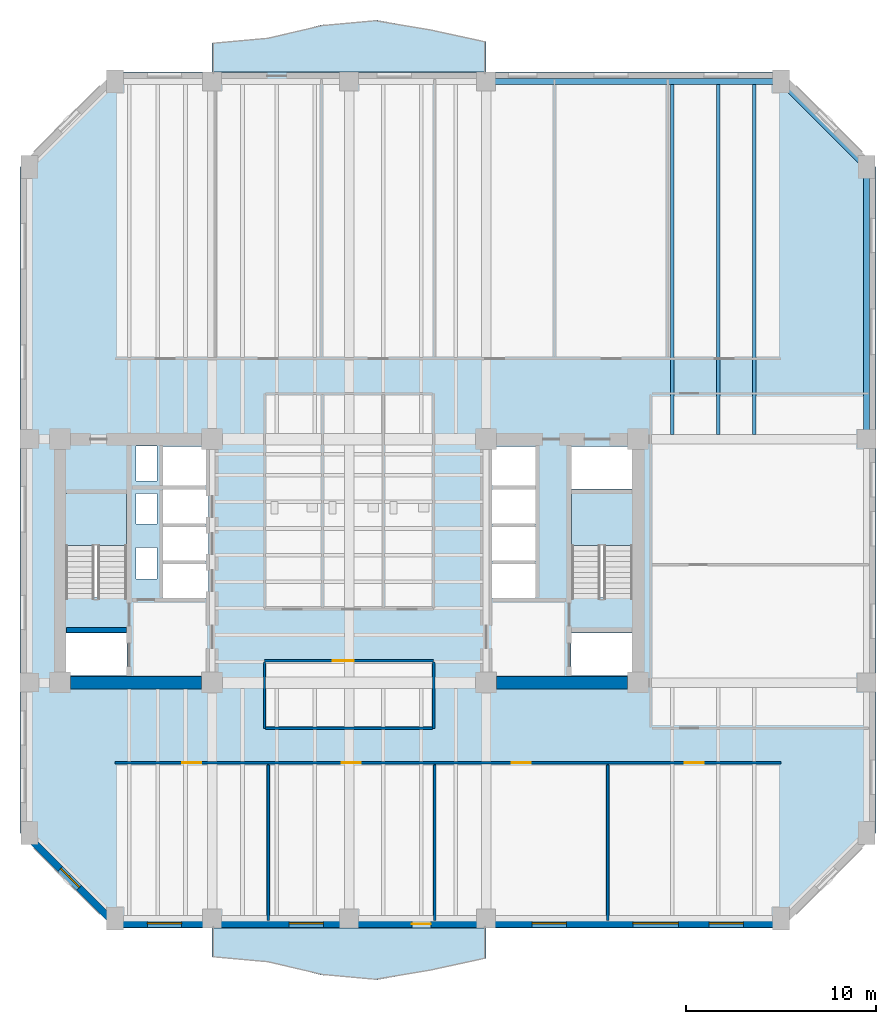
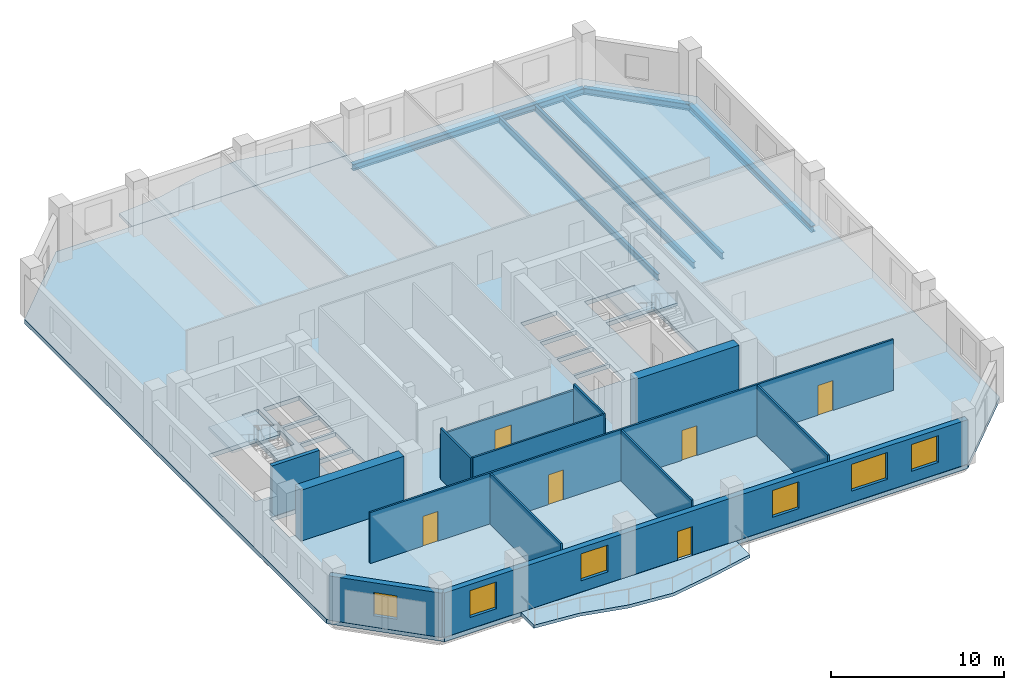
# One storey, part 2 of 9: 13 walls, 6 beams, 6 doors, 6 windows, 5 slabs, 12 openings, 2 elements without a shape of their own.
"""IFC4 building model written with IfcOpenShell, lengths in metres."""

import ifcopenshell
import ifcopenshell.guid

model = None  # the IFC model being written
_history = None  # IfcOwnerHistory: only IFC2X3 demands one
_inside = {}  # id of a spatial element -> (the spatial element, [elements in it])
_under = {}  # id of a project, library or spatial element -> (it, [spatial elements below it])
_declared = {}  # id of a project -> (the project, [libraries it declares])
_typed = {}  # id of a type object -> (the type object, [elements of that type])
_made_of = {}  # id of a material, layer set ... -> (it, [elements and type objects made of it])


def new_model(schema):
    """Start an empty IFC model of exactly this schema.

    Asked for "IFC4X3", IfcOpenShell would pick the latest addendum, in which some entities
    have other attributes; the version numbers below select the first issue.
    IFC2X3 requires an IfcOwnerHistory on every rooted entity: one is made here for all.
    """
    global model, _history
    if schema == "IFC4X3":
        model = ifcopenshell.file(schema_version=(4, 3, 0, 0))
    else:
        model = ifcopenshell.file(schema=schema)
    _inside.clear()
    _under.clear()
    _declared.clear()
    _typed.clear()
    _made_of.clear()
    _history = None
    if model.schema == "IFC2X3":
        org = make("IfcOrganization", Name="unknown")
        user = make(
            "IfcPersonAndOrganization",
            ThePerson=make("IfcPerson", FamilyName="unknown"),
            TheOrganization=org,
        )
        app = make(
            "IfcApplication",
            ApplicationDeveloper=org,
            Version="unknown",
            ApplicationFullName="unknown",
            ApplicationIdentifier="unknown",
        )
        _history = make(
            "IfcOwnerHistory",
            OwningUser=user,
            OwningApplication=app,
            ChangeAction="ADDED",
            CreationDate=0,
        )
    return model


def make(cls, **values):
    """One entity of the class cls with the attributes given. An attribute that is None is left unset."""
    return model.create_entity(
        cls, **{name: value for name, value in values.items() if value is not None}
    )


def rooted(cls, **values):
    """An entity with a GlobalId (a new one), such as an element, a storey or a relation."""
    return make(cls, GlobalId=ifcopenshell.guid.new(), OwnerHistory=_history, **values)


def si_unit(unit_type, name, prefix=None):
    """IfcSIUnit, for example si_unit("LENGTHUNIT", "METRE", prefix="MILLI")."""
    return make("IfcSIUnit", UnitType=unit_type, Prefix=prefix, Name=name)


def assignment(units):
    """IfcUnitAssignment: the units of a project."""
    return None if units is None else make("IfcUnitAssignment", Units=units)


def point(xyz):
    """IfcCartesianPoint."""
    return None if xyz is None else make("IfcCartesianPoint", Coordinates=xyz)


def direction(xyz):
    """IfcDirection."""
    return None if xyz is None else make("IfcDirection", DirectionRatios=xyz)


def frame(location, z_axis=None, x_axis=None):
    """IfcAxis2Placement3D, a coordinate frame: its origin and axes. An axis left out is left unset."""
    return make(
        "IfcAxis2Placement3D",
        Location=point(location),
        Axis=direction(z_axis),
        RefDirection=direction(x_axis),
    )


def frame_2d(location, x_axis=None):
    """IfcAxis2Placement2D, a coordinate frame in the plane: its origin and x axis."""
    return make(
        "IfcAxis2Placement2D", Location=point(location), RefDirection=direction(x_axis)
    )


def origin():
    """The frame at (0, 0, 0) with its axes left unset."""
    return frame((0.0, 0.0, 0.0))


def origin_2d():
    """The frame at (0, 0) in the plane with its x axis left unset."""
    return frame_2d((0.0, 0.0))


def place(relative_to, where):
    """IfcLocalPlacement: puts the frame where relative to a parent placement (None: the world)."""
    return make(
        "IfcLocalPlacement", PlacementRelTo=relative_to, RelativePlacement=where
    )


def context(
    kind, dimensions, precision=None, world=None, true_north=None, identifier=None
):
    """IfcGeometricRepresentationContext, for example the 3D "Model" context."""
    return make(
        "IfcGeometricRepresentationContext",
        ContextIdentifier=identifier,
        ContextType=kind,
        CoordinateSpaceDimension=dimensions,
        Precision=precision,
        WorldCoordinateSystem=world,
        TrueNorth=true_north,
    )


def subcontext(parent, identifier, kind, view, scale=None):
    """IfcGeometricRepresentationSubContext, for example "Body" below "Model"."""
    return make(
        "IfcGeometricRepresentationSubContext",
        ContextIdentifier=identifier,
        ContextType=kind,
        ParentContext=parent,
        TargetScale=scale,
        TargetView=view,
    )


def project(units=None, contexts=None):
    """IfcProject with its units and contexts."""
    return rooted(
        "IfcProject",
        Name="project",
        RepresentationContexts=contexts,
        UnitsInContext=assignment(units),
    )


def spatial(cls, under=None, at=None, **own):
    """A site, building, storey or space (cls), placed at a placement, below another one or the project."""
    s = rooted(cls, ObjectPlacement=at, **own)
    if under is not None:
        _under.setdefault(under.id(), (under, []))[1].append(s)
    return s


def polyline(points):
    """IfcPolyline through the points."""
    return make("IfcPolyline", Points=[point(p) for p in points])


def profile(cls, at=None, kind="AREA", **sizes):
    """A parametric profile (cls). Its sizes go by their IFC names, for example OverallWidth=200.0."""
    return make(cls, ProfileType=kind, Position=at, **sizes)


def rectangle(**sizes):
    """IfcRectangleProfileDef."""
    return profile("IfcRectangleProfileDef", **sizes)


def i_section(**sizes):
    """IfcIShapeProfileDef."""
    return profile("IfcIShapeProfileDef", **sizes)


def outline(outer, holes=None, kind="AREA"):
    """IfcArbitraryClosedProfileDef: a profile drawn as a closed curve; with holes, ...WithVoids."""
    if holes is None:
        return make("IfcArbitraryClosedProfileDef", ProfileType=kind, OuterCurve=outer)
    return make(
        "IfcArbitraryProfileDefWithVoids",
        ProfileType=kind,
        OuterCurve=outer,
        InnerCurves=holes,
    )


def extrude(swept, where, along, depth):
    """IfcExtrudedAreaSolid: the profile swept, set in the frame where, extruded along a direction by depth."""
    return make(
        "IfcExtrudedAreaSolid",
        SweptArea=swept,
        Position=where,
        ExtrudedDirection=direction(along),
        Depth=depth,
    )


def shape(context_of_items, identifier, shape_type, items):
    """IfcShapeRepresentation: the items that make up one representation, for example the "Body"."""
    return make(
        "IfcShapeRepresentation",
        ContextOfItems=context_of_items,
        RepresentationIdentifier=identifier,
        RepresentationType=shape_type,
        Items=items,
    )


def material(Name=None, Category=None):
    """IfcMaterial."""
    return make("IfcMaterial", Name=Name, Category=Category)


def layer(
    of_material, thickness, ventilated=None, Name=None, Category=None, Priority=None
):
    """IfcMaterialLayer: one layer of a wall or slab, of a material (None: an air gap)."""
    return make(
        "IfcMaterialLayer",
        Material=of_material,
        LayerThickness=thickness,
        IsVentilated=ventilated,
        Name=Name,
        Category=Category,
        Priority=Priority,
    )


def layer_set(layers, Name=None):
    """IfcMaterialLayerSet."""
    return make("IfcMaterialLayerSet", MaterialLayers=layers, LayerSetName=Name)


def material_profile(
    of_material, cross_section, Name=None, Category=None, Priority=None
):
    """IfcMaterialProfile: a cross section and its material."""
    return make(
        "IfcMaterialProfile",
        Name=Name,
        Material=of_material,
        Profile=cross_section,
        Priority=Priority,
        Category=Category,
    )


def profile_set(profiles, Name=None, composite=None):
    """IfcMaterialProfileSet."""
    return make(
        "IfcMaterialProfileSet",
        Name=Name,
        MaterialProfiles=profiles,
        CompositeProfile=composite,
    )


def made_of(thing, what):
    """Note that an element or type object is made of a material, layer set ...; save() writes the relation."""
    if what is not None:
        _made_of.setdefault(what.id(), (what, []))[1].append(thing)
    return thing


def type_object(cls, material=None, **own):
    """A type object (cls), such as IfcWallType, which elements share."""
    return made_of(rooted(cls, **own), material)


def element(
    cls,
    number,
    at=None,
    inside=None,
    cuts=None,
    type_object=None,
    material=None,
    context=None,
    identifier="Body",
    shape_type=None,
    held_by="IfcProductDefinitionShape",
    body=None,
    shapes=None,
    **own,
):
    """One element of the class cls, such as IfcWall. Its Tag is "e" and its number.

    at: its placement. inside: the storey or other place that contains it. cuts: it is an
    opening in that element (IfcRelVoidsElement). A single representation is given by context,
    identifier, shape_type and body (its items); several are given by shapes. held_by: the class
    of the entity that holds the representations. save() writes the other relations.
    """
    e = rooted(cls, Tag="e%d" % number, ObjectPlacement=at, **own)
    if body is not None:
        shapes = [shape(context, identifier, shape_type, body)]
    if shapes is not None:
        e.Representation = make(held_by, Representations=shapes)
    if inside is not None:
        _inside.setdefault(inside.id(), (inside, []))[1].append(e)
    if cuts is not None:
        rooted(
            "IfcRelVoidsElement", RelatingBuildingElement=cuts, RelatedOpeningElement=e
        )
    if type_object is not None:
        _typed.setdefault(type_object.id(), (type_object, []))[1].append(e)
    return made_of(e, material)


def fill(opening, filler):
    """IfcRelFillsElement: the door or window that sits in an opening."""
    return rooted(
        "IfcRelFillsElement",
        RelatingOpeningElement=opening,
        RelatedBuildingElement=filler,
    )


def aggregate(whole, parts):
    """IfcRelAggregates: a whole, such as a stair, and the parts it consists of."""
    return rooted("IfcRelAggregates", RelatingObject=whole, RelatedObjects=parts)


def save(model, path):
    """Write the relations noted so far, then the file.

    IfcRelAggregates (storeys below a building ...), IfcRelContainedInSpatialStructure (elements
    in a storey), IfcRelDefinesByType, IfcRelAssociatesMaterial and IfcRelDeclares: one each for
    every whole, place, type object, material and project.
    """
    for whole, parts in _under.values():
        aggregate(whole, parts)
    for where, things in _inside.values():
        rooted(
            "IfcRelContainedInSpatialStructure",
            RelatedElements=things,
            RelatingStructure=where,
        )
    for kind, things in _typed.values():
        rooted("IfcRelDefinesByType", RelatedObjects=things, RelatingType=kind)
    for what, things in _made_of.values():
        rooted("IfcRelAssociatesMaterial", RelatedObjects=things, RelatingMaterial=what)
    for by, libraries in _declared.values():
        rooted("IfcRelDeclares", RelatingContext=by, RelatedDefinitions=libraries)
    model.write(path)


model = new_model("IFC4")

# Units and contexts
model_context = context("Model", 3, precision=1e-05, world=origin(), true_north=direction((0.0, 1.0)))
body_context = subcontext(model_context, "Body", "Model", "MODEL_VIEW")
ifc_project = project(units=[si_unit("LENGTHUNIT", "METRE"), si_unit("AREAUNIT", "SQUARE_METRE"), si_unit("VOLUMEUNIT", "CUBIC_METRE"), si_unit("PLANEANGLEUNIT", "RADIAN"), si_unit("MASSUNIT", "GRAM", prefix="KILO")], contexts=[model_context])

# Site, building, storey
site_placement = place(None, origin())
site = spatial("IfcSite", under=ifc_project, at=site_placement, CompositionType="ELEMENT")
building_placement = place(site_placement, origin())
building = spatial("IfcBuilding", under=site, at=building_placement, Name="Kranthara Brick Stack", CompositionType="ELEMENT")
storey_placement = place(building_placement, frame((0.0, 0.0, 86.699951171875)))
storey = spatial("IfcBuildingStorey", under=building, at=storey_placement, Name="L21", CompositionType="ELEMENT", Elevation=86.699951171875)

# Beams
ifc_material_1 = material(Name="Steel S355", Category="steel")
ifc_material_profile_1 = material_profile(ifc_material_1, i_section(OverallWidth=0.18994140625, OverallDepth=0.449951171875, WebThickness=0.009521484375, FlangeThickness=0.0146484375, at=origin_2d()), Name="IPE 450")
ifc_profile_set_1 = profile_set([ifc_material_profile_1], Name="Steel S355")
beam_type_1 = type_object("IfcBeamType", Name="BM-JST-IPE450", PredefinedType="JOIST", material=ifc_profile_set_1)
for number, where, z_axis, x_axis, name in (
    (1, (45.0, 33.85009765625, -0.52490234375), (0.0, 1.0, 0.0), (-1.0, 0.0, 0.0), "L21 North Wing Floor Joist 071"),
    (2, (47.39990234375, 33.85009765625, -0.52490234375), (0.0, 1.0, 0.0), (-1.0, 0.0, 0.0), "L21 North Wing Floor Joist 073"),
    (3, (49.300048828125, 33.85009765625, -0.52490234375), (0.0, 1.0, 0.0), (-1.0, 0.0, 0.0), "L21 North Wing Floor Joist 075"),
):
    element("IfcBeam", number, at=place(storey_placement, frame(where, z_axis=z_axis, x_axis=x_axis)), inside=storey, type_object=beam_type_1, Name=name, PredefinedType="JOIST", context=body_context, shape_type="SweptSolid", body=[
        extrude(i_section(OverallWidth=0.18994140625, OverallDepth=0.449951171875, WebThickness=0.009521484375, FlangeThickness=0.0146484375, at=origin_2d()), origin(), (0.0, 0.0, 1.0), 18.39990234375),
    ])
ifc_material_2 = material(Name="Steel S355", Category="steel")
ifc_material_profile_2 = material_profile(ifc_material_2, i_section(OverallWidth=0.300048828125, OverallDepth=0.449951171875, WebThickness=0.013916015625, FlangeThickness=0.02587890625, at=origin_2d()), Name="HEB 450")
ifc_profile_set_2 = profile_set([ifc_material_profile_2], Name="Steel S355")
beam_type_2 = type_object("IfcBeamType", Name="BM-STL-HEB450", PredefinedType="SPANDREL", material=ifc_profile_set_2)
beam_1_placement = place(storey_placement, frame((35.199951171875, 52.39990234375, -0.52490234375), z_axis=(1.0, 0.0, 0.0), x_axis=(0.0, 1.0, 0.0)))
element("IfcBeam", 4, at=beam_1_placement, inside=storey, type_object=beam_type_2, Name="L21 Perimeter Spandrel Beam 012", PredefinedType="SPANDREL", context=body_context, shape_type="SweptSolid", body=[
    extrude(i_section(OverallWidth=0.300048828125, OverallDepth=0.449951171875, WebThickness=0.013916015625, FlangeThickness=0.02587890625, at=origin_2d()), origin(), (0.0, 0.0, 1.0), 15.5),
])
beam_2_placement = place(storey_placement, frame((55.199951171875, 33.60009765625, -0.52490234375), z_axis=(0.0, 1.0, 0.0), x_axis=(-1.0, 0.0, 0.0)))
element("IfcBeam", 5, at=beam_2_placement, inside=storey, type_object=beam_type_2, Name="L21 Perimeter Spandrel Beam 018", PredefinedType="SPANDREL", context=body_context, shape_type="SweptSolid", body=[
    extrude(i_section(OverallWidth=0.300048828125, OverallDepth=0.449951171875, WebThickness=0.013916015625, FlangeThickness=0.02587890625, at=origin_2d()), origin(), (0.0, 0.0, 1.0), 14.2998046875),
])
beam_3_placement = place(storey_placement, frame((50.699951171875, 52.39990234375, -0.52490234375), z_axis=(0.707106781187, -0.707106781187, 0.0), x_axis=(0.707106781187, 0.707106781187, 0.0)))
element("IfcBeam", 6, at=beam_3_placement, inside=storey, type_object=beam_type_2, Name="L21 Chamfer Corner Spandrel 022", PredefinedType="SPANDREL", context=body_context, shape_type="SweptSolid", body=[
    extrude(i_section(OverallWidth=0.300048828125, OverallDepth=0.449951171875, WebThickness=0.013916015625, FlangeThickness=0.02587890625, at=origin_2d()), origin(), (0.0, 0.0, 1.0), 6.364013671875),
])

# Slabs
ifc_material_3 = material(Name="Concrete C45/55", Category="concrete")
ifc_layer_1 = layer(ifc_material_3, 0.219970703125)
ifc_layer_set_1 = layer_set([ifc_layer_1], Name="Concrete C45/55")
slab_type_1 = type_object("IfcSlabType", Name="SLB-BALC-220", PredefinedType="FLOOR", material=ifc_layer_set_1)
slab_1_placement = place(storey_placement, frame((0.0, 0.0, -0.219970703125)))
element("IfcSlab", 7, at=slab_1_placement, inside=storey, type_object=slab_type_1, Name="L21 South Rippling Balcony Slab", PredefinedType="FLOOR", context=body_context, shape_type="SweptSolid", body=[
    extrude(outline(polyline([(20.800048828125, 7.89990234375), (35.199951171875, 7.89990234375), (35.199951171875, 6.31103515625), (32.320068359375, 5.675537109375), (29.43994140625, 5.1650390625), (26.56005859375, 5.421630859375), (23.679931640625, 6.12255859375), (20.800048828125, 6.38623046875), (20.800048828125, 7.89990234375)])), origin(), (0.0, 0.0, 1.0), 0.219970703125),
])
slab_2_placement = place(storey_placement, frame((0.0, 0.0, -0.219970703125)))
element("IfcSlab", 8, at=slab_2_placement, inside=storey, type_object=slab_type_1, Name="L21 North Rippling Balcony Slab", PredefinedType="FLOOR", context=body_context, shape_type="SweptSolid", body=[
    extrude(outline(polyline([(35.199951171875, 52.89990234375), (20.800048828125, 52.89990234375), (20.800048828125, 54.41357421875), (23.679931640625, 54.677490234375), (26.56005859375, 55.378173828125), (29.43994140625, 55.634765625), (32.320068359375, 55.12451171875), (35.199951171875, 54.489013671875), (35.199951171875, 52.89990234375)])), origin(), (0.0, 0.0, 1.0), 0.219970703125),
])

# Stair, slab
ifc_material_4 = material(Name="Concrete C45/55", Category="concrete")
stair_type = type_object("IfcStairType", Name="ST-CORE-22R", PredefinedType="HALF_TURN_STAIR", material=ifc_material_4)
stair_1_placement = place(storey_placement, origin())
stair_1 = element("IfcStair", 9, at=stair_1_placement, inside=storey, type_object=stair_type, Name="L21 West Core Protected Exit Stair ST01", PredefinedType="HALF_TURN_STAIR")
ifc_material_5 = material(Name="Concrete C45/55", Category="concrete")
ifc_layer_2 = layer(ifc_material_5, 0.199951171875)
ifc_layer_set_2 = layer_set([ifc_layer_2], Name="Concrete C45/55")
slab_type_2 = type_object("IfcSlabType", Name="SLB-LANDING-200", PredefinedType="LANDING", material=ifc_layer_set_2)
slab_3_placement = place(storey_placement, frame((0.0, 0.0, 1.75)))
slab_3 = element("IfcSlab", 10, at=slab_3_placement, type_object=slab_type_2, Name="ST01 landing 1", PredefinedType="LANDING", context=body_context, shape_type="SweptSolid", body=[
    extrude(outline(polyline([(16.300048828125, 28.0), (16.300048828125, 30.75), (13.10009765625, 30.75), (13.10009765625, 28.0), (16.300048828125, 28.0)])), origin(), (0.0, 0.0, 1.0), 0.199951171875),
])
aggregate(stair_1, [slab_3])

stair_2_placement = place(storey_placement, origin())
stair_2 = element("IfcStair", 11, at=stair_2_placement, inside=storey, type_object=stair_type, Name="L21 East Core Protected Exit Stair ST02", PredefinedType="HALF_TURN_STAIR")
slab_4_placement = place(storey_placement, frame((0.0, 0.0, 1.75)))
slab_4 = element("IfcSlab", 12, at=slab_4_placement, type_object=slab_type_2, Name="ST02 landing 1", PredefinedType="LANDING", context=body_context, shape_type="SweptSolid", body=[
    extrude(outline(polyline([(42.89990234375, 28.0), (42.89990234375, 30.75), (39.699951171875, 30.75), (39.699951171875, 28.0), (42.89990234375, 28.0)])), origin(), (0.0, 0.0, 1.0), 0.199951171875),
])
aggregate(stair_2, [slab_4])

# Slab
ifc_material_6 = material(Name="Post-tensioned concrete C45/55", Category="concrete")
ifc_layer_3 = layer(ifc_material_6, 0.300048828125)
ifc_layer_set_3 = layer_set([ifc_layer_3], Name="Post-tensioned concrete C45/55")
slab_type_3 = type_object("IfcSlabType", Name="SLB-TWR-300", PredefinedType="FLOOR", material=ifc_layer_set_3)
slab_5_placement = place(storey_placement, frame((0.0, 0.0, -0.300048828125)))
element("IfcSlab", 13, at=slab_5_placement, inside=storey, type_object=slab_type_3, Name="L21 Structural Floor Plate", PredefinedType="FLOOR", context=body_context, shape_type="SweptSolid", body=[
    extrude(outline(polyline([(15.699951171875, 7.89990234375), (50.699951171875, 7.89990234375), (55.699951171875, 12.89990234375), (55.699951171875, 47.89990234375), (50.699951171875, 52.89990234375), (15.699951171875, 52.89990234375), (10.699951171875, 47.89990234375), (10.699951171875, 12.89990234375), (15.699951171875, 7.89990234375)]), holes=[polyline([(13.10009765625, 25.280029296875), (16.300048828125, 25.280029296875), (16.300048828125, 30.75), (13.10009765625, 30.75), (13.10009765625, 25.280029296875)]), polyline([(39.699951171875, 25.280029296875), (42.89990234375, 25.280029296875), (42.89990234375, 30.75), (39.699951171875, 30.75), (39.699951171875, 25.280029296875)]), polyline([(13.0, 21.179931640625), (16.320068359375, 21.179931640625), (16.320068359375, 23.419921875), (13.0, 23.419921875), (13.0, 21.179931640625)]), polyline([(39.679931640625, 21.179931640625), (43.0, 21.179931640625), (43.0, 23.419921875), (39.679931640625, 23.419921875), (39.679931640625, 21.179931640625)]), polyline([(39.679931640625, 30.97998046875), (43.0, 30.97998046875), (43.0, 33.219970703125), (39.679931640625, 33.219970703125), (39.679931640625, 30.97998046875)]), polyline([(18.199951171875, 25.25), (20.60009765625, 25.25), (20.60009765625, 27.050048828125), (18.199951171875, 27.050048828125), (18.199951171875, 25.25)]), polyline([(18.199951171875, 27.199951171875), (20.60009765625, 27.199951171875), (20.60009765625, 29.0), (18.199951171875, 29.0), (18.199951171875, 27.199951171875)]), polyline([(18.199951171875, 29.14990234375), (20.60009765625, 29.14990234375), (20.60009765625, 30.949951171875), (18.199951171875, 30.949951171875), (18.199951171875, 29.14990234375)]), polyline([(35.39990234375, 25.25), (37.800048828125, 25.25), (37.800048828125, 27.050048828125), (35.39990234375, 27.050048828125), (35.39990234375, 25.25)]), polyline([(35.39990234375, 27.199951171875), (37.800048828125, 27.199951171875), (37.800048828125, 29.0), (35.39990234375, 29.0), (35.39990234375, 27.199951171875)]), polyline([(35.39990234375, 29.14990234375), (37.800048828125, 29.14990234375), (37.800048828125, 30.949951171875), (35.39990234375, 30.949951171875), (35.39990234375, 29.14990234375)]), polyline([(18.199951171875, 31.14990234375), (20.60009765625, 31.14990234375), (20.60009765625, 33.219970703125), (18.199951171875, 33.219970703125), (18.199951171875, 31.14990234375)]), polyline([(35.39990234375, 31.14990234375), (37.800048828125, 31.14990234375), (37.800048828125, 33.219970703125), (35.39990234375, 33.219970703125), (35.39990234375, 31.14990234375)]), polyline([(16.800048828125, 26.25), (17.89990234375, 26.25), (17.89990234375, 27.89990234375), (16.800048828125, 27.89990234375), (16.800048828125, 26.25)]), polyline([(16.800048828125, 29.14990234375), (17.89990234375, 29.14990234375), (17.89990234375, 30.75), (16.800048828125, 30.75), (16.800048828125, 29.14990234375)]), polyline([(16.800048828125, 31.39990234375), (17.89990234375, 31.39990234375), (17.89990234375, 33.25), (16.800048828125, 33.25), (16.800048828125, 31.39990234375)])]), origin(), (0.0, 0.0, 1.0), 0.300048828125),
])

# Wall, openings, door, windows
ifc_material_7 = material(Name="Kiln-fired clay brick masonry M15", Category="masonry")
ifc_layer_4 = layer(ifc_material_7, 0.3798828125)
ifc_layer_set_4 = layer_set([ifc_layer_4], Name="Kiln-fired clay brick masonry M15")
wall_type_1 = type_object("IfcWallType", Name="WL-BRK-PIER-380", PredefinedType="STANDARD", material=ifc_layer_set_4)
wall_1_placement = place(storey_placement, frame((50.699951171875, 8.110107421875, 0.0), z_axis=(0.0, 0.0, 1.0), x_axis=(-1.0, 0.0, 0.0)))
wall_1 = element("IfcWall", 14, at=wall_1_placement, inside=storey, type_object=wall_type_1, Name="L21 Exterior Brick Facade Wall SOUTH 1", PredefinedType="STANDARD", context=body_context, shape_type="SweptSolid", body=[
    extrude(rectangle(XDim=35.0, YDim=0.3798828125, at=frame_2d((17.5, 0.0))), origin(), (0.0, 0.0, 1.0), 3.135009765625),
])
opening_1_placement = place(wall_1_placement, frame((18.39990234375, 0.0, 0.0)))
opening_1 = element("IfcOpeningElement", 15, at=opening_1_placement, cuts=wall_1, Name="Opening D03", PredefinedType="OPENING", context=body_context, shape_type="SweptSolid", body=[
    extrude(rectangle(XDim=1.0, YDim=2.02001953125, at=frame_2d((0.5, 1.010009765625))), frame((0.0, 0.199951171875, 0.0), z_axis=(0.0, -1.0, 0.0), x_axis=(1.0, 0.0, 0.0)), (0.0, 0.0, 1.0), 0.39990234375),
])
opening_2_placement = place(wall_1_placement, frame((1.965087890625, 0.0, 0.800048828125)))
opening_2 = element("IfcOpeningElement", 16, at=opening_2_placement, cuts=wall_1, Name="Opening WN01", PredefinedType="OPENING", context=body_context, shape_type="SweptSolid", body=[
    extrude(rectangle(XDim=1.800048828125, YDim=1.89990234375, at=frame_2d((0.89990234375, 0.949951171875))), frame((0.0, 0.199951171875, 0.0), z_axis=(0.0, -1.0, 0.0), x_axis=(1.0, 0.0, 0.0)), (0.0, 0.0, 1.0), 0.39990234375),
])
opening_3_placement = place(wall_1_placement, frame((5.385009765625, 0.0, 0.800048828125)))
opening_3 = element("IfcOpeningElement", 17, at=opening_3_placement, cuts=wall_1, Name="Opening WN02", PredefinedType="OPENING", context=body_context, shape_type="SweptSolid", body=[
    extrude(rectangle(XDim=2.39990234375, YDim=1.89990234375, at=frame_2d((1.199951171875, 0.949951171875))), frame((0.0, 0.199951171875, 0.0), z_axis=(0.0, -1.0, 0.0), x_axis=(1.0, 0.0, 0.0)), (0.0, 0.0, 1.0), 0.39990234375),
])
opening_4_placement = place(wall_1_placement, frame((11.27490234375, 0.0, 0.800048828125)))
opening_4 = element("IfcOpeningElement", 18, at=opening_4_placement, cuts=wall_1, Name="Opening WN01", PredefinedType="OPENING", context=body_context, shape_type="SweptSolid", body=[
    extrude(rectangle(XDim=1.800048828125, YDim=1.89990234375, at=frame_2d((0.89990234375, 0.949951171875))), frame((0.0, 0.199951171875, 0.0), z_axis=(0.0, -1.0, 0.0), x_axis=(1.0, 0.0, 0.0)), (0.0, 0.0, 1.0), 0.39990234375),
])
opening_5_placement = place(wall_1_placement, frame((24.050048828125, 0.0, 0.800048828125)))
opening_5 = element("IfcOpeningElement", 19, at=opening_5_placement, cuts=wall_1, Name="Opening WN01", PredefinedType="OPENING", context=body_context, shape_type="SweptSolid", body=[
    extrude(rectangle(XDim=1.800048828125, YDim=1.89990234375, at=frame_2d((0.89990234375, 0.949951171875))), frame((0.0, 0.199951171875, 0.0), z_axis=(0.0, -1.0, 0.0), x_axis=(1.0, 0.0, 0.0)), (0.0, 0.0, 1.0), 0.39990234375),
])
opening_6_placement = place(wall_1_placement, frame((31.5, 0.0, 0.800048828125)))
opening_6 = element("IfcOpeningElement", 20, at=opening_6_placement, cuts=wall_1, Name="Opening WN01", PredefinedType="OPENING", context=body_context, shape_type="SweptSolid", body=[
    extrude(rectangle(XDim=1.800048828125, YDim=1.89990234375, at=frame_2d((0.89990234375, 0.949951171875))), frame((0.0, 0.199951171875, 0.0), z_axis=(0.0, -1.0, 0.0), x_axis=(1.0, 0.0, 0.0)), (0.0, 0.0, 1.0), 0.39990234375),
])
ifc_material_8 = material(Name="Bronze anodised aluminium and laminated glass", Category="aluminium")
door_type_1 = type_object("IfcDoorType", Name="DR-BALC-1000", OperationType="NOTDEFINED", PredefinedType="DOOR", material=ifc_material_8)
door_1_placement = place(opening_1_placement, origin())
door_1 = element("IfcDoor", 21, at=door_1_placement, inside=storey, type_object=door_type_1, Name="L21 South Balcony Terrace Door", OperationType="SINGLE_SWING_LEFT", OverallHeight=2.02001953125, OverallWidth=1.0, PredefinedType="DOOR", context=body_context, shape_type="SweptSolid", body=[
    extrude(rectangle(XDim=1.0, YDim=2.02001953125, at=frame_2d((0.5, 1.010009765625))), frame((0.0, 0.02490234375, 0.0), z_axis=(0.0, -1.0, 0.0), x_axis=(1.0, 0.0, 0.0)), (0.0, 0.0, 1.0), 0.050048828125),
])
fill(opening_1, door_1)
ifc_material_9 = material(Name="Double-glazed low-E solar control glass", Category="glass")
window_type_1 = type_object("IfcWindowType", Name="WN-OFF-1800x2000", PartitioningType="SINGLE_PANEL", PredefinedType="WINDOW", material=ifc_material_9)
window_1_placement = place(opening_2_placement, origin())
window_1 = element("IfcWindow", 22, at=window_1_placement, inside=storey, type_object=window_type_1, Name="L21 South Deep-Set Brick Window 01", OverallHeight=1.89990234375, OverallWidth=1.800048828125, PartitioningType="SINGLE_PANEL", PredefinedType="WINDOW", context=body_context, shape_type="SweptSolid", body=[
    extrude(rectangle(XDim=1.800048828125, YDim=1.89990234375, at=frame_2d((0.89990234375, 0.949951171875))), frame((0.0, -0.010009765625, 0.0), z_axis=(0.0, -1.0, 0.0), x_axis=(1.0, 0.0, 0.0)), (0.0, 0.0, 1.0), 0.06005859375),
])
fill(opening_2, window_1)
window_2_placement = place(opening_4_placement, origin())
window_2 = element("IfcWindow", 23, at=window_2_placement, inside=storey, type_object=window_type_1, Name="L21 South Deep-Set Brick Window 03", OverallHeight=1.89990234375, OverallWidth=1.800048828125, PartitioningType="SINGLE_PANEL", PredefinedType="WINDOW", context=body_context, shape_type="SweptSolid", body=[
    extrude(rectangle(XDim=1.800048828125, YDim=1.89990234375, at=frame_2d((0.89990234375, 0.949951171875))), frame((0.0, -0.010009765625, 0.0), z_axis=(0.0, -1.0, 0.0), x_axis=(1.0, 0.0, 0.0)), (0.0, 0.0, 1.0), 0.06005859375),
])
fill(opening_4, window_2)
window_3_placement = place(opening_5_placement, origin())
window_3 = element("IfcWindow", 24, at=window_3_placement, inside=storey, type_object=window_type_1, Name="L21 South Deep-Set Brick Window 04", OverallHeight=1.89990234375, OverallWidth=1.800048828125, PartitioningType="SINGLE_PANEL", PredefinedType="WINDOW", context=body_context, shape_type="SweptSolid", body=[
    extrude(rectangle(XDim=1.800048828125, YDim=1.89990234375, at=frame_2d((0.89990234375, 0.949951171875))), frame((0.0, -0.010009765625, 0.0), z_axis=(0.0, -1.0, 0.0), x_axis=(1.0, 0.0, 0.0)), (0.0, 0.0, 1.0), 0.06005859375),
])
fill(opening_5, window_3)
window_4_placement = place(opening_6_placement, origin())
window_4 = element("IfcWindow", 25, at=window_4_placement, inside=storey, type_object=window_type_1, Name="L21 South Deep-Set Brick Window 05", OverallHeight=1.89990234375, OverallWidth=1.800048828125, PartitioningType="SINGLE_PANEL", PredefinedType="WINDOW", context=body_context, shape_type="SweptSolid", body=[
    extrude(rectangle(XDim=1.800048828125, YDim=1.89990234375, at=frame_2d((0.89990234375, 0.949951171875))), frame((0.0, -0.010009765625, 0.0), z_axis=(0.0, -1.0, 0.0), x_axis=(1.0, 0.0, 0.0)), (0.0, 0.0, 1.0), 0.06005859375),
])
fill(opening_6, window_4)
ifc_material_10 = material(Name="Double-glazed low-E solar control glass", Category="glass")
window_type_2 = type_object("IfcWindowType", Name="WN-OFF-2400x2000", PartitioningType="DOUBLE_PANEL_VERTICAL", PredefinedType="WINDOW", material=ifc_material_10)
window_5_placement = place(opening_3_placement, origin())
window_5 = element("IfcWindow", 26, at=window_5_placement, inside=storey, type_object=window_type_2, Name="L21 South Deep-Set Brick Window 02", OverallHeight=1.89990234375, OverallWidth=2.39990234375, PartitioningType="SINGLE_PANEL", PredefinedType="WINDOW", context=body_context, shape_type="SweptSolid", body=[
    extrude(rectangle(XDim=2.39990234375, YDim=1.89990234375, at=frame_2d((1.199951171875, 0.949951171875))), frame((0.0, -0.010009765625, 0.0), z_axis=(0.0, -1.0, 0.0), x_axis=(1.0, 0.0, 0.0)), (0.0, 0.0, 1.0), 0.06005859375),
])
fill(opening_3, window_5)

# Wall, opening, window
wall_2_placement = place(storey_placement, frame((15.699951171875, 8.110107421875, 0.0), z_axis=(0.0, 0.0, 1.0), x_axis=(-0.707124801467, 0.707088760447, 0.0)))
wall_2 = element("IfcWall", 27, at=wall_2_placement, inside=storey, type_object=wall_type_1, Name="L21 Exterior Brick Facade Wall SW 1", PredefinedType="STANDARD", context=body_context, shape_type="SweptSolid", body=[
    extrude(rectangle(XDim=6.77392578125, YDim=0.3798828125, at=frame_2d((3.386962890625, 0.0))), origin(), (0.0, 0.0, 1.0), 3.135009765625),
])
opening_7_placement = place(wall_2_placement, frame((2.68701171875, 0.0, 0.800048828125)))
opening_7 = element("IfcOpeningElement", 28, at=opening_7_placement, cuts=wall_2, Name="Opening WN10", PredefinedType="OPENING", context=body_context, shape_type="SweptSolid", body=[
    extrude(rectangle(XDim=1.39990234375, YDim=1.64990234375, at=frame_2d((0.699951171875, 0.824951171875))), frame((0.0, 0.199951171875, 0.0), z_axis=(0.0, -1.0, 0.0), x_axis=(1.0, 0.0, 0.0)), (0.0, 0.0, 1.0), 0.39990234375),
])
ifc_material_11 = material(Name="Double-glazed low-E solar control glass", Category="glass")
window_type_3 = type_object("IfcWindowType", Name="WN-CHM-1400x1750", PartitioningType="SINGLE_PANEL", PredefinedType="WINDOW", material=ifc_material_11)
window_6_placement = place(opening_7_placement, origin())
window_6 = element("IfcWindow", 29, at=window_6_placement, inside=storey, type_object=window_type_3, Name="L21 SW Chamfer Corner Window", OverallHeight=1.64990234375, OverallWidth=1.39990234375, PartitioningType="SINGLE_PANEL", PredefinedType="WINDOW", context=body_context, shape_type="SweptSolid", body=[
    extrude(rectangle(XDim=1.39990234375, YDim=1.64990234375, at=frame_2d((0.699951171875, 0.824951171875))), frame((0.0, -0.010009765625, 0.0), z_axis=(0.0, -1.0, 0.0), x_axis=(1.0, 0.0, 0.0)), (0.0, 0.0, 1.0), 0.06005859375),
])
fill(opening_7, window_6)

# Walls
ifc_material_12 = material(Name="Concrete C50/60", Category="concrete")
ifc_layer_5 = layer(ifc_material_12, 0.25)
ifc_layer_set_5 = layer_set([ifc_layer_5], Name="Concrete C50/60")
wall_type_2 = type_object("IfcWallType", Name="WL-CORE-250", PredefinedType="SHEAR", material=ifc_layer_set_5)
wall_3_placement = place(storey_placement, frame((13.135009765625, 23.570068359375, 0.0), z_axis=(0.0, 0.0, 1.0), x_axis=(1.0, 0.0, 0.0)))
element("IfcWall", 30, at=wall_3_placement, inside=storey, type_object=wall_type_2, Name="L21 West Stairwell Bearing Wall WFF", PredefinedType="SHEAR", context=body_context, shape_type="SweptSolid", body=[
    extrude(rectangle(XDim=3.175048828125, YDim=0.25, at=frame_2d((1.58740234375, 0.0))), origin(), (0.0, 0.0, 1.0), 3.60009765625),
])
ifc_material_13 = material(Name="Concrete C60/75", Category="concrete")
ifc_layer_6 = layer(ifc_material_13, 0.64990234375)
ifc_layer_set_6 = layer_set([ifc_layer_6], Name="Concrete C60/75")
wall_type_3 = type_object("IfcWallType", Name="WL-CORE-650", PredefinedType="SHEAR", material=ifc_layer_set_6)
for number, where, z_axis, x_axis, name in (
    (31, (13.35498046875, 20.800048828125, 0.0), (0.0, 0.0, 1.0), (1.0, 0.0, 0.0), "L21 West Core Shear Wall South"),
    (32, (35.7548828125, 20.800048828125, 0.0), (0.0, 0.0, 1.0), (1.0, 0.0, 0.0), "L21 East Core Shear Wall South"),
):
    element("IfcWall", number, at=place(storey_placement, frame(where, z_axis=z_axis, x_axis=x_axis)), inside=storey, type_object=wall_type_3, Name=name, PredefinedType="SHEAR", context=body_context, shape_type="SweptSolid", body=[
        extrude(rectangle(XDim=6.89013671875, YDim=0.64990234375, at=frame_2d((3.445068359375, 0.0))), origin(), (0.0, 0.0, 1.0), 3.60009765625),
    ])

# Wall, opening, door
ifc_material_14 = material(Name="Acoustic gypsum plasterboard partition", Category="other")
ifc_layer_7 = layer(ifc_material_14, 0.1201171875)
ifc_layer_set_7 = layer_set([ifc_layer_7], Name="Acoustic gypsum plasterboard partition")
wall_type_4 = type_object("IfcWallType", Name="WL-PART-120", PredefinedType="PARTITIONING", material=ifc_layer_set_7)
wall_4_placement = place(storey_placement, frame((23.550048828125, 21.949951171875, 0.0), z_axis=(0.0, 0.0, 1.0), x_axis=(1.0, 0.0, 0.0)))
wall_4 = element("IfcWall", 33, at=wall_4_placement, inside=storey, type_object=wall_type_4, Name="L21 Interior Partition 007", PredefinedType="PARTITIONING", context=body_context, shape_type="SweptSolid", body=[
    extrude(rectangle(XDim=8.89990234375, YDim=0.1201171875, at=frame_2d((4.449951171875, 0.0))), origin(), (0.0, 0.0, 1.0), 3.135009765625),
])
opening_8_placement = place(wall_4_placement, frame((3.60009765625, 0.0, 0.0)))
opening_8 = element("IfcOpeningElement", 34, at=opening_8_placement, cuts=wall_4, Name="Opening D11", PredefinedType="OPENING", context=body_context, shape_type="SweptSolid", body=[
    extrude(rectangle(XDim=1.10009765625, YDim=2.14990234375, at=frame_2d((0.550048828125, 1.074951171875))), frame((0.0, 0.070068359375, 0.0), z_axis=(0.0, -1.0, 0.0), x_axis=(1.0, 0.0, 0.0)), (0.0, 0.0, 1.0), 0.14013671875),
])
ifc_material_15 = material(Name="Solid-core hardwood timber leaf in steel frame", Category="steel")
door_type_2 = type_object("IfcDoorType", Name="DR-INT-1100", OperationType="NOTDEFINED", PredefinedType="DOOR", material=ifc_material_15)
door_2_placement = place(opening_8_placement, origin())
door_2 = element("IfcDoor", 35, at=door_2_placement, inside=storey, type_object=door_type_2, Name="L21 Internal Briefing Room 04", OperationType="SINGLE_SWING_RIGHT", OverallHeight=2.14990234375, OverallWidth=1.10009765625, PredefinedType="DOOR", context=body_context, shape_type="SweptSolid", body=[
    extrude(rectangle(XDim=1.10009765625, YDim=2.14990234375, at=frame_2d((0.550048828125, 1.074951171875))), frame((0.0, 0.02490234375, 0.0), z_axis=(0.0, -1.0, 0.0), x_axis=(1.0, 0.0, 0.0)), (0.0, 0.0, 1.0), 0.050048828125),
])
fill(opening_8, door_2)

# Walls
for number, where, z_axis, x_axis, name in (
    (36, (23.550048828125, 18.39990234375, 0.0), (0.0, 0.0, 1.0), (0.0, 1.0, 0.0), "L21 Interior Partition 008"),
    (37, (32.449951171875, 18.39990234375, 0.0), (0.0, 0.0, 1.0), (0.0, 1.0, 0.0), "L21 Interior Partition 009"),
):
    element("IfcWall", number, at=place(storey_placement, frame(where, z_axis=z_axis, x_axis=x_axis)), inside=storey, type_object=wall_type_4, Name=name, PredefinedType="PARTITIONING", context=body_context, shape_type="SweptSolid", body=[
        extrude(rectangle(XDim=3.485107421875, YDim=0.1201171875, at=frame_2d((1.74267578125, 0.0))), origin(), (0.0, 0.0, 1.0), 3.60009765625),
    ])
wall_5_placement = place(storey_placement, frame((23.614990234375, 18.39990234375, 0.0), z_axis=(0.0, 0.0, 1.0), x_axis=(1.0, 0.0, 0.0)))
element("IfcWall", 38, at=wall_5_placement, inside=storey, type_object=wall_type_4, Name="L21 Interior Partition 010", PredefinedType="PARTITIONING", context=body_context, shape_type="SweptSolid", body=[
    extrude(rectangle(XDim=8.77001953125, YDim=0.1201171875, at=frame_2d((4.385009765625, 0.0))), origin(), (0.0, 0.0, 1.0), 3.60009765625),
])

# Wall, openings, doors
wall_6_placement = place(storey_placement, frame((15.699951171875, 16.580078125, 0.0), z_axis=(0.0, 0.0, 1.0), x_axis=(1.0, 0.0, 0.0)))
wall_6 = element("IfcWall", 39, at=wall_6_placement, inside=storey, type_object=wall_type_4, Name="L21 Interior Partition 011", PredefinedType="PARTITIONING", context=body_context, shape_type="SweptSolid", body=[
    extrude(rectangle(XDim=35.0, YDim=0.1201171875, at=frame_2d((17.5, 0.0))), origin(), (0.0, 0.0, 1.0), 3.60009765625),
])
opening_9_placement = place(wall_6_placement, frame((3.52490234375, 0.0, 0.0)))
opening_9 = element("IfcOpeningElement", 40, at=opening_9_placement, cuts=wall_6, Name="Opening D13", PredefinedType="OPENING", context=body_context, shape_type="SweptSolid", body=[
    extrude(rectangle(XDim=1.0, YDim=2.10009765625, at=frame_2d((0.5, 1.050048828125))), frame((0.0, 0.070068359375, 0.0), z_axis=(0.0, -1.0, 0.0), x_axis=(1.0, 0.0, 0.0)), (0.0, 0.0, 1.0), 0.14013671875),
])
opening_10_placement = place(wall_6_placement, frame((11.925048828125, 0.0, 0.0)))
opening_10 = element("IfcOpeningElement", 41, at=opening_10_placement, cuts=wall_6, Name="Opening D13", PredefinedType="OPENING", context=body_context, shape_type="SweptSolid", body=[
    extrude(rectangle(XDim=1.0, YDim=2.10009765625, at=frame_2d((0.5, 1.050048828125))), frame((0.0, 0.070068359375, 0.0), z_axis=(0.0, -1.0, 0.0), x_axis=(1.0, 0.0, 0.0)), (0.0, 0.0, 1.0), 0.14013671875),
])
opening_11_placement = place(wall_6_placement, frame((20.85009765625, 0.0, 0.0)))
opening_11 = element("IfcOpeningElement", 42, at=opening_11_placement, cuts=wall_6, Name="Opening D13", PredefinedType="OPENING", context=body_context, shape_type="SweptSolid", body=[
    extrude(rectangle(XDim=1.0, YDim=2.10009765625, at=frame_2d((0.5, 1.050048828125))), frame((0.0, 0.070068359375, 0.0), z_axis=(0.0, -1.0, 0.0), x_axis=(1.0, 0.0, 0.0)), (0.0, 0.0, 1.0), 0.14013671875),
])
opening_12_placement = place(wall_6_placement, frame((29.949951171875, 0.0, 0.0)))
opening_12 = element("IfcOpeningElement", 43, at=opening_12_placement, cuts=wall_6, Name="Opening D13", PredefinedType="OPENING", context=body_context, shape_type="SweptSolid", body=[
    extrude(rectangle(XDim=1.0, YDim=2.10009765625, at=frame_2d((0.5, 1.050048828125))), frame((0.0, 0.070068359375, 0.0), z_axis=(0.0, -1.0, 0.0), x_axis=(1.0, 0.0, 0.0)), (0.0, 0.0, 1.0), 0.14013671875),
])
ifc_material_16 = material(Name="Solid-core hardwood timber leaf in steel frame", Category="steel")
door_type_3 = type_object("IfcDoorType", Name="DR-INT-1000", OperationType="NOTDEFINED", PredefinedType="DOOR", material=ifc_material_16)
door_3_placement = place(opening_9_placement, origin())
door_3 = element("IfcDoor", 44, at=door_3_placement, inside=storey, type_object=door_type_3, Name="L21 Meeting Room 05", OperationType="SINGLE_SWING_LEFT", OverallHeight=2.10009765625, OverallWidth=1.0, PredefinedType="DOOR", context=body_context, shape_type="SweptSolid", body=[
    extrude(rectangle(XDim=1.0, YDim=2.10009765625, at=frame_2d((0.5, 1.050048828125))), frame((0.0, 0.02490234375, 0.0), z_axis=(0.0, -1.0, 0.0), x_axis=(1.0, 0.0, 0.0)), (0.0, 0.0, 1.0), 0.050048828125),
])
fill(opening_9, door_3)
door_4_placement = place(opening_10_placement, origin())
door_4 = element("IfcDoor", 45, at=door_4_placement, inside=storey, type_object=door_type_3, Name="L21 Meeting Room 06", OperationType="SINGLE_SWING_RIGHT", OverallHeight=2.10009765625, OverallWidth=1.0, PredefinedType="DOOR", context=body_context, shape_type="SweptSolid", body=[
    extrude(rectangle(XDim=1.0, YDim=2.10009765625, at=frame_2d((0.5, 1.050048828125))), frame((0.0, 0.02490234375, 0.0), z_axis=(0.0, -1.0, 0.0), x_axis=(1.0, 0.0, 0.0)), (0.0, 0.0, 1.0), 0.050048828125),
])
fill(opening_10, door_4)
door_5_placement = place(opening_11_placement, origin())
door_5 = element("IfcDoor", 46, at=door_5_placement, inside=storey, type_object=door_type_3, Name="L21 Boardroom 07", OperationType="SINGLE_SWING_LEFT", OverallHeight=2.10009765625, OverallWidth=1.0, PredefinedType="DOOR", context=body_context, shape_type="SweptSolid", body=[
    extrude(rectangle(XDim=1.0, YDim=2.10009765625, at=frame_2d((0.5, 1.050048828125))), frame((0.0, 0.02490234375, 0.0), z_axis=(0.0, -1.0, 0.0), x_axis=(1.0, 0.0, 0.0)), (0.0, 0.0, 1.0), 0.050048828125),
])
fill(opening_11, door_5)
door_6_placement = place(opening_12_placement, origin())
door_6 = element("IfcDoor", 47, at=door_6_placement, inside=storey, type_object=door_type_3, Name="L21 Collaboration Lounge 08", OperationType="SINGLE_SWING_RIGHT", OverallHeight=2.10009765625, OverallWidth=1.0, PredefinedType="DOOR", context=body_context, shape_type="SweptSolid", body=[
    extrude(rectangle(XDim=1.0, YDim=2.10009765625, at=frame_2d((0.5, 1.050048828125))), frame((0.0, 0.02490234375, 0.0), z_axis=(0.0, -1.0, 0.0), x_axis=(1.0, 0.0, 0.0)), (0.0, 0.0, 1.0), 0.050048828125),
])
fill(opening_12, door_6)

# Walls
for number, where, z_axis, x_axis, name in (
    (48, (23.75, 8.304931640625, 0.0), (0.0, 0.0, 1.0), (0.0, 1.0, 0.0), "L21 Interior Partition 012"),
    (49, (32.5, 8.304931640625, 0.0), (0.0, 0.0, 1.0), (0.0, 1.0, 0.0), "L21 Interior Partition 013"),
    (50, (41.60009765625, 8.304931640625, 0.0), (0.0, 0.0, 1.0), (0.0, 1.0, 0.0), "L21 Interior Partition 014"),
):
    element("IfcWall", number, at=place(storey_placement, frame(where, z_axis=z_axis, x_axis=x_axis)), inside=storey, type_object=wall_type_4, Name=name, PredefinedType="PARTITIONING", context=body_context, shape_type="SweptSolid", body=[
        extrude(rectangle(XDim=8.175048828125, YDim=0.1201171875, at=frame_2d((4.08740234375, 0.0))), origin(), (0.0, 0.0, 1.0), 3.60009765625),
    ])

save(model, "model.ifc")
